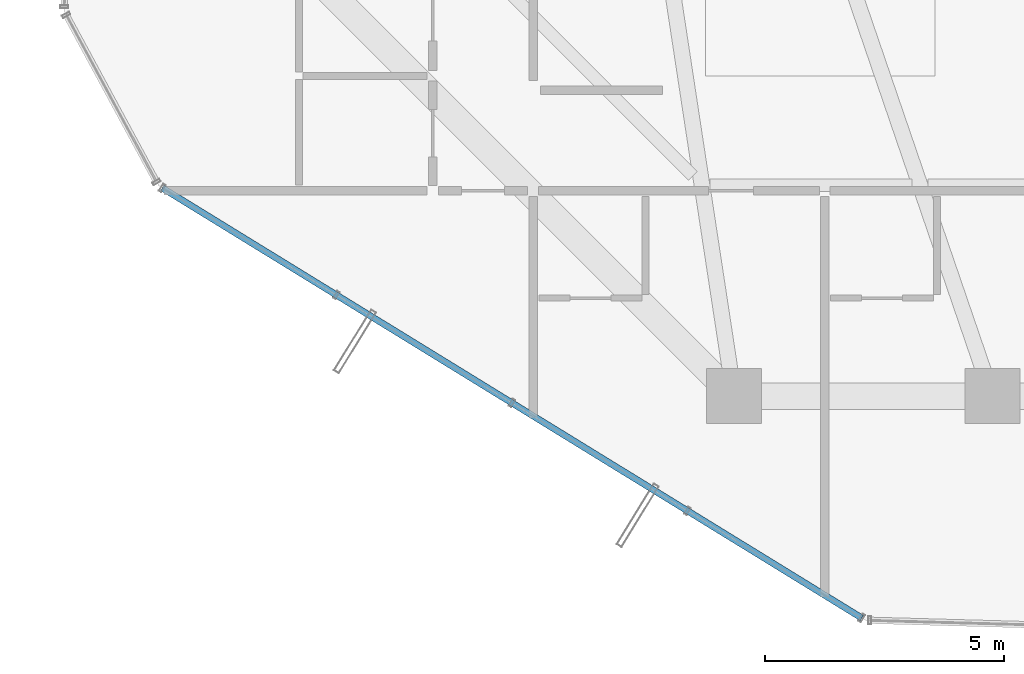
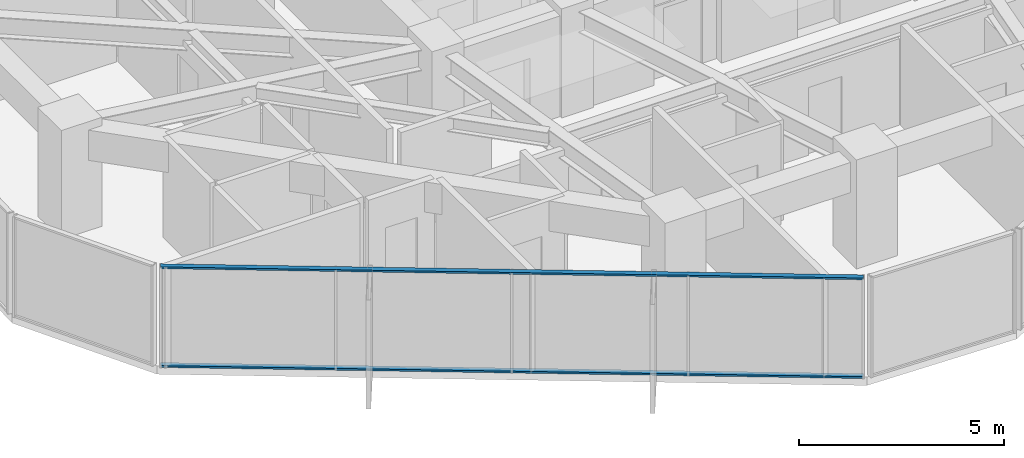
# One storey, part 3 of 30: 2 members, 1 element without a shape of its own.
"""IFC4 building model written with IfcOpenShell, lengths in metres."""

from ifc_helpers import new_model, si_unit, direction, frame, origin, origin_2d, place, context, subcontext, project, spatial, hollow_rectangle, extrude, source, transform, mapped, material, layer, layer_set, material_profile, profile_set, type_object, element, aggregate, save


model = new_model("IFC4")

# Units and contexts
model_context = context("Model", 3, precision=1e-05, world=origin(), true_north=direction((0.0, 1.0)))
body_context = subcontext(model_context, "Body", "Model", "MODEL_VIEW")
ifc_project = project(units=[si_unit("LENGTHUNIT", "METRE"), si_unit("AREAUNIT", "SQUARE_METRE"), si_unit("VOLUMEUNIT", "CUBIC_METRE"), si_unit("PLANEANGLEUNIT", "RADIAN"), si_unit("MASSUNIT", "GRAM", prefix="KILO")], contexts=[model_context])

# Site, building, storey
site_placement = place(None, origin())
site = spatial("IfcSite", under=ifc_project, at=site_placement, CompositionType="ELEMENT")
building_placement = place(site_placement, origin())
building = spatial("IfcBuilding", under=site, at=building_placement, Name="Veraguas Prism Commons", CompositionType="ELEMENT")
storey_placement = place(building_placement, frame((0.0, 0.0, 123.0)))
storey = spatial("IfcBuildingStorey", under=building, at=storey_placement, Name="L34", CompositionType="ELEMENT", Elevation=123.0)

# Curtain wall, members
ifc_material = material(Name="Anodised aluminium EN AW-6063 T6", Category="aluminium")
ifc_layer = layer(ifc_material, 0.169921875, Name="Unitised Flush Curtain Wall Zone 2", Category="aluminium")
ifc_layer_set = layer_set([ifc_layer], Name="Anodised aluminium EN AW-6063 T6")
curtain_wall_type = type_object("IfcCurtainWallType", Name="Unitised Flush Curtain Wall Zone 2", PredefinedType="NOTDEFINED", material=ifc_layer_set)
curtain_wall_placement = place(storey_placement, origin())
curtain_wall = element("IfcCurtainWall", 1, at=curtain_wall_placement, inside=storey, type_object=curtain_wall_type, Name="Tower Facade Curtain Wall L34-F4", PredefinedType="NOTDEFINED")
ifc_material_profile = material_profile(ifc_material, hollow_rectangle(XDim=0.054931640625, YDim=0.135009765625, WallThickness=0.0029296875, at=origin_2d()), Name="AL55X135X3")
ifc_profile_set = profile_set([ifc_material_profile], Name="Anodised aluminium EN AW-6063 T6")
member_type = type_object("IfcMemberType", Name="Curtain Wall Transom Standard AL 55x135x3", PredefinedType="USERDEFINED", material=ifc_profile_set)
shared_shape = source(origin(), body_context, "Body", "SweptSolid", [
    extrude(hollow_rectangle(XDim=0.054931640625, YDim=0.135009765625, WallThickness=0.0029296875, at=origin_2d()), origin(), (0.0, 0.0, 1.0), 17.17431640625),
])
member_1_placement = place(storey_placement, frame((6.638916015625, 12.1552734375, 0.027587890625), z_axis=(0.851904217499, -0.523697626696, 0.0), x_axis=(0.0, 0.0, 1.0)))
member_1 = element("IfcMember", 2, at=member_1_placement, type_object=member_type, Name="CW-Z2 Transom 1", ObjectType="TRANSOM", PredefinedType="USERDEFINED", context=body_context, shape_type="MappedRepresentation", body=[
    mapped(shared_shape, transform((0.0, 0.0, 0.0), scale=1.0)),
])
member_2_placement = place(storey_placement, frame((6.638916015625, 12.1552734375, 2.972412109375), z_axis=(0.851904217499, -0.523697626696, 0.0), x_axis=(0.0, 0.0, 1.0)))
member_2 = element("IfcMember", 3, at=member_2_placement, type_object=member_type, Name="CW-Z2 Transom 2", ObjectType="TRANSOM", PredefinedType="USERDEFINED", context=body_context, shape_type="MappedRepresentation", body=[
    mapped(shared_shape, transform((0.0, 0.0, 0.0), scale=1.0)),
])
aggregate(curtain_wall, [member_1, member_2])

save(model, "model.ifc")
